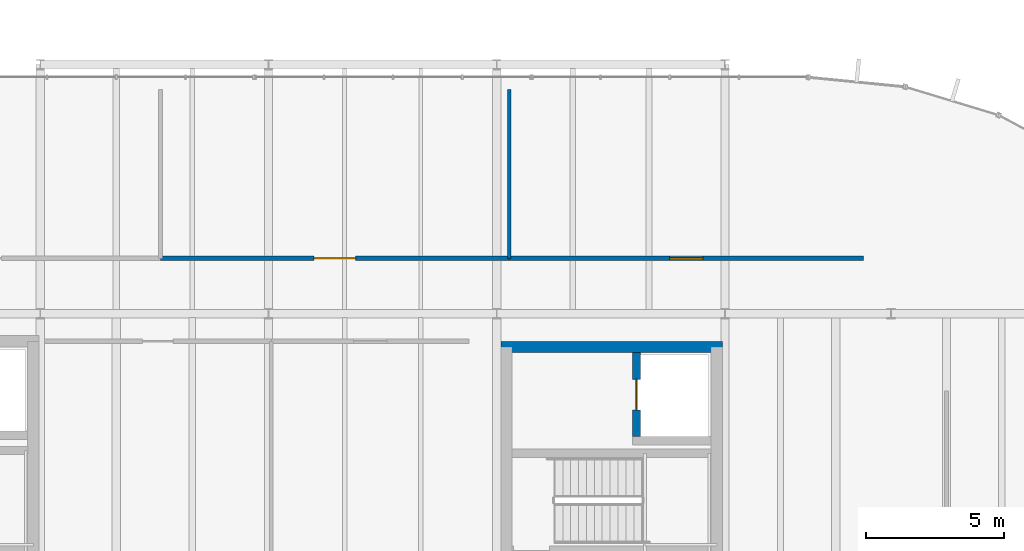
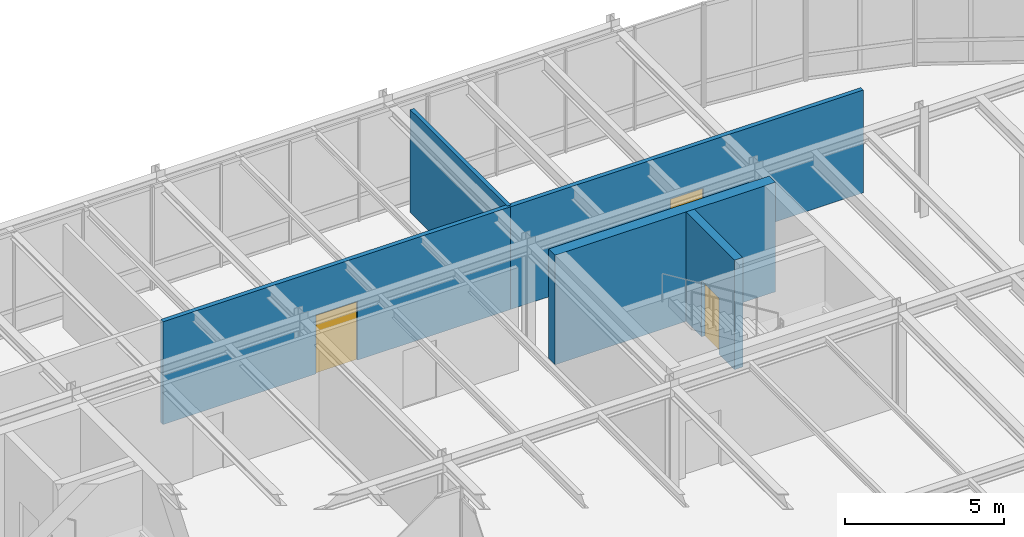
# One storey, part 22 of 31: 5 walls, 3 doors, 3 openings.
"""IFC4 building model written with IfcOpenShell, lengths in metres."""

import ifcopenshell
import ifcopenshell.guid

model = None  # the IFC model being written
_history = None  # IfcOwnerHistory: only IFC2X3 demands one
_inside = {}  # id of a spatial element -> (the spatial element, [elements in it])
_under = {}  # id of a project, library or spatial element -> (it, [spatial elements below it])
_declared = {}  # id of a project -> (the project, [libraries it declares])
_typed = {}  # id of a type object -> (the type object, [elements of that type])
_made_of = {}  # id of a material, layer set ... -> (it, [elements and type objects made of it])


def new_model(schema):
    """Start an empty IFC model of exactly this schema.

    Asked for "IFC4X3", IfcOpenShell would pick the latest addendum, in which some entities
    have other attributes; the version numbers below select the first issue.
    IFC2X3 requires an IfcOwnerHistory on every rooted entity: one is made here for all.
    """
    global model, _history
    if schema == "IFC4X3":
        model = ifcopenshell.file(schema_version=(4, 3, 0, 0))
    else:
        model = ifcopenshell.file(schema=schema)
    _inside.clear()
    _under.clear()
    _declared.clear()
    _typed.clear()
    _made_of.clear()
    _history = None
    if model.schema == "IFC2X3":
        org = make("IfcOrganization", Name="unknown")
        user = make(
            "IfcPersonAndOrganization",
            ThePerson=make("IfcPerson", FamilyName="unknown"),
            TheOrganization=org,
        )
        app = make(
            "IfcApplication",
            ApplicationDeveloper=org,
            Version="unknown",
            ApplicationFullName="unknown",
            ApplicationIdentifier="unknown",
        )
        _history = make(
            "IfcOwnerHistory",
            OwningUser=user,
            OwningApplication=app,
            ChangeAction="ADDED",
            CreationDate=0,
        )
    return model


def make(cls, **values):
    """One entity of the class cls with the attributes given. An attribute that is None is left unset."""
    return model.create_entity(
        cls, **{name: value for name, value in values.items() if value is not None}
    )


def rooted(cls, **values):
    """An entity with a GlobalId (a new one), such as an element, a storey or a relation."""
    return make(cls, GlobalId=ifcopenshell.guid.new(), OwnerHistory=_history, **values)


def si_unit(unit_type, name, prefix=None):
    """IfcSIUnit, for example si_unit("LENGTHUNIT", "METRE", prefix="MILLI")."""
    return make("IfcSIUnit", UnitType=unit_type, Prefix=prefix, Name=name)


def assignment(units):
    """IfcUnitAssignment: the units of a project."""
    return None if units is None else make("IfcUnitAssignment", Units=units)


def point(xyz):
    """IfcCartesianPoint."""
    return None if xyz is None else make("IfcCartesianPoint", Coordinates=xyz)


def direction(xyz):
    """IfcDirection."""
    return None if xyz is None else make("IfcDirection", DirectionRatios=xyz)


def frame(location, z_axis=None, x_axis=None):
    """IfcAxis2Placement3D, a coordinate frame: its origin and axes. An axis left out is left unset."""
    return make(
        "IfcAxis2Placement3D",
        Location=point(location),
        Axis=direction(z_axis),
        RefDirection=direction(x_axis),
    )


def frame_2d(location, x_axis=None):
    """IfcAxis2Placement2D, a coordinate frame in the plane: its origin and x axis."""
    return make(
        "IfcAxis2Placement2D", Location=point(location), RefDirection=direction(x_axis)
    )


def origin():
    """The frame at (0, 0, 0) with its axes left unset."""
    return frame((0.0, 0.0, 0.0))


def place(relative_to, where):
    """IfcLocalPlacement: puts the frame where relative to a parent placement (None: the world)."""
    return make(
        "IfcLocalPlacement", PlacementRelTo=relative_to, RelativePlacement=where
    )


def context(
    kind, dimensions, precision=None, world=None, true_north=None, identifier=None
):
    """IfcGeometricRepresentationContext, for example the 3D "Model" context."""
    return make(
        "IfcGeometricRepresentationContext",
        ContextIdentifier=identifier,
        ContextType=kind,
        CoordinateSpaceDimension=dimensions,
        Precision=precision,
        WorldCoordinateSystem=world,
        TrueNorth=true_north,
    )


def subcontext(parent, identifier, kind, view, scale=None):
    """IfcGeometricRepresentationSubContext, for example "Body" below "Model"."""
    return make(
        "IfcGeometricRepresentationSubContext",
        ContextIdentifier=identifier,
        ContextType=kind,
        ParentContext=parent,
        TargetScale=scale,
        TargetView=view,
    )


def project(units=None, contexts=None):
    """IfcProject with its units and contexts."""
    return rooted(
        "IfcProject",
        Name="project",
        RepresentationContexts=contexts,
        UnitsInContext=assignment(units),
    )


def spatial(cls, under=None, at=None, **own):
    """A site, building, storey or space (cls), placed at a placement, below another one or the project."""
    s = rooted(cls, ObjectPlacement=at, **own)
    if under is not None:
        _under.setdefault(under.id(), (under, []))[1].append(s)
    return s


def profile(cls, at=None, kind="AREA", **sizes):
    """A parametric profile (cls). Its sizes go by their IFC names, for example OverallWidth=200.0."""
    return make(cls, ProfileType=kind, Position=at, **sizes)


def rectangle(**sizes):
    """IfcRectangleProfileDef."""
    return profile("IfcRectangleProfileDef", **sizes)


def extrude(swept, where, along, depth):
    """IfcExtrudedAreaSolid: the profile swept, set in the frame where, extruded along a direction by depth."""
    return make(
        "IfcExtrudedAreaSolid",
        SweptArea=swept,
        Position=where,
        ExtrudedDirection=direction(along),
        Depth=depth,
    )


def shape(context_of_items, identifier, shape_type, items):
    """IfcShapeRepresentation: the items that make up one representation, for example the "Body"."""
    return make(
        "IfcShapeRepresentation",
        ContextOfItems=context_of_items,
        RepresentationIdentifier=identifier,
        RepresentationType=shape_type,
        Items=items,
    )


def material(Name=None, Category=None):
    """IfcMaterial."""
    return make("IfcMaterial", Name=Name, Category=Category)


def layer(
    of_material, thickness, ventilated=None, Name=None, Category=None, Priority=None
):
    """IfcMaterialLayer: one layer of a wall or slab, of a material (None: an air gap)."""
    return make(
        "IfcMaterialLayer",
        Material=of_material,
        LayerThickness=thickness,
        IsVentilated=ventilated,
        Name=Name,
        Category=Category,
        Priority=Priority,
    )


def layer_set(layers, Name=None):
    """IfcMaterialLayerSet."""
    return make("IfcMaterialLayerSet", MaterialLayers=layers, LayerSetName=Name)


def made_of(thing, what):
    """Note that an element or type object is made of a material, layer set ...; save() writes the relation."""
    if what is not None:
        _made_of.setdefault(what.id(), (what, []))[1].append(thing)
    return thing


def type_object(cls, material=None, **own):
    """A type object (cls), such as IfcWallType, which elements share."""
    return made_of(rooted(cls, **own), material)


def element(
    cls,
    number,
    at=None,
    inside=None,
    cuts=None,
    type_object=None,
    material=None,
    context=None,
    identifier="Body",
    shape_type=None,
    held_by="IfcProductDefinitionShape",
    body=None,
    shapes=None,
    **own,
):
    """One element of the class cls, such as IfcWall. Its Tag is "e" and its number.

    at: its placement. inside: the storey or other place that contains it. cuts: it is an
    opening in that element (IfcRelVoidsElement). A single representation is given by context,
    identifier, shape_type and body (its items); several are given by shapes. held_by: the class
    of the entity that holds the representations. save() writes the other relations.
    """
    e = rooted(cls, Tag="e%d" % number, ObjectPlacement=at, **own)
    if body is not None:
        shapes = [shape(context, identifier, shape_type, body)]
    if shapes is not None:
        e.Representation = make(held_by, Representations=shapes)
    if inside is not None:
        _inside.setdefault(inside.id(), (inside, []))[1].append(e)
    if cuts is not None:
        rooted(
            "IfcRelVoidsElement", RelatingBuildingElement=cuts, RelatedOpeningElement=e
        )
    if type_object is not None:
        _typed.setdefault(type_object.id(), (type_object, []))[1].append(e)
    return made_of(e, material)


def fill(opening, filler):
    """IfcRelFillsElement: the door or window that sits in an opening."""
    return rooted(
        "IfcRelFillsElement",
        RelatingOpeningElement=opening,
        RelatedBuildingElement=filler,
    )


def aggregate(whole, parts):
    """IfcRelAggregates: a whole, such as a stair, and the parts it consists of."""
    return rooted("IfcRelAggregates", RelatingObject=whole, RelatedObjects=parts)


def save(model, path):
    """Write the relations noted so far, then the file.

    IfcRelAggregates (storeys below a building ...), IfcRelContainedInSpatialStructure (elements
    in a storey), IfcRelDefinesByType, IfcRelAssociatesMaterial and IfcRelDeclares: one each for
    every whole, place, type object, material and project.
    """
    for whole, parts in _under.values():
        aggregate(whole, parts)
    for where, things in _inside.values():
        rooted(
            "IfcRelContainedInSpatialStructure",
            RelatedElements=things,
            RelatingStructure=where,
        )
    for kind, things in _typed.values():
        rooted("IfcRelDefinesByType", RelatedObjects=things, RelatingType=kind)
    for what, things in _made_of.values():
        rooted("IfcRelAssociatesMaterial", RelatedObjects=things, RelatingMaterial=what)
    for by, libraries in _declared.values():
        rooted("IfcRelDeclares", RelatingContext=by, RelatedDefinitions=libraries)
    model.write(path)


model = new_model("IFC4")

# Units and contexts
model_context = context("Model", 3, precision=1e-05, world=origin(), true_north=direction((0.0, 1.0)))
body_context = subcontext(model_context, "Body", "Model", "MODEL_VIEW")
ifc_project = project(units=[si_unit("LENGTHUNIT", "METRE"), si_unit("AREAUNIT", "SQUARE_METRE"), si_unit("VOLUMEUNIT", "CUBIC_METRE"), si_unit("PLANEANGLEUNIT", "RADIAN"), si_unit("MASSUNIT", "GRAM", prefix="KILO")], contexts=[model_context])

# Site, building, storey
site_placement = place(None, origin())
site = spatial("IfcSite", under=ifc_project, at=site_placement, CompositionType="ELEMENT")
building_placement = place(site_placement, origin())
building = spatial("IfcBuilding", under=site, at=building_placement, Name="Montealbar Specialist Clinic", CompositionType="ELEMENT")
storey_placement = place(building_placement, frame((0.0, 0.0, 13.800048828125)))
storey = spatial("IfcBuildingStorey", under=building, at=storey_placement, Name="L03", CompositionType="ELEMENT", Elevation=13.800048828125)

# Wall, opening, door
ifc_material_1 = material(Name="Concrete C35/45", Category="concrete")
ifc_layer_1 = layer(ifc_material_1, 0.300048828125, Name="Concrete C35/45", Category="concrete")
ifc_layer_set_1 = layer_set([ifc_layer_1], Name="Concrete C35/45")
wall_type_1 = type_object("IfcWallType", Name="WL-CORE-300", PredefinedType="SHEAR", material=ifc_layer_set_1)
wall_1_placement = place(storey_placement, frame((95.800048828125, 31.550048828125, 0.0), z_axis=(0.0, 0.0, 1.0), x_axis=(0.0, 1.0, 0.0)))
wall_1 = element("IfcWall", 1, at=wall_1_placement, inside=storey, type_object=wall_type_1, Name="Lift LF-03 Shaft Wall L03 LW", PredefinedType="SHEAR", context=body_context, shape_type="SweptSolid", body=[
    extrude(rectangle(XDim=3.050048828125, YDim=0.300048828125, at=frame_2d((1.52490234375, 0.0))), origin(), (0.0, 0.0, 1.0), 4.199951171875),
])
opening_1_placement = place(wall_1_placement, frame((0.97509765625, 0.0, 0.0)))
opening_1 = element("IfcOpeningElement", 2, at=opening_1_placement, cuts=wall_1, Name="Opening LD-11", PredefinedType="OPENING", context=body_context, shape_type="SweptSolid", body=[
    extrude(rectangle(XDim=1.10009765625, YDim=2.14990234375, at=frame_2d((0.550048828125, 1.074951171875))), frame((0.0, 0.159912109375, 0.0), z_axis=(0.0, -1.0, 0.0), x_axis=(1.0, 0.0, 0.0)), (0.0, 0.0, 1.0), 0.320068359375),
])
ifc_material_2 = material(Name="Steel S355", Category="steel")
door_type_1 = type_object("IfcDoorType", Name="DR-LIFT-LD1100", OperationType="DOUBLE_DOOR_SLIDING", PredefinedType="DOOR", material=ifc_material_2)
door_1_placement = place(opening_1_placement, origin())
door_1 = element("IfcDoor", 3, at=door_1_placement, inside=storey, type_object=door_type_1, Name="Lift LF-03 Sliding Landing Door L03", OperationType="DOUBLE_DOOR_SLIDING", OverallHeight=2.14990234375, OverallWidth=1.10009765625, PredefinedType="DOOR", context=body_context, shape_type="SweptSolid", body=[
    extrude(rectangle(XDim=1.10009765625, YDim=2.14990234375, at=frame_2d((0.550048828125, 1.074951171875))), frame((0.0, 0.02490234375, 0.0), z_axis=(0.0, -1.0, 0.0), x_axis=(1.0, 0.0, 0.0)), (0.0, 0.0, 1.0), 0.050048828125),
])
fill(opening_1, door_1)

# Walls
ifc_layer_2 = layer(ifc_material_1, 0.39990234375, Name="Concrete C35/45", Category="concrete")
ifc_layer_set_2 = layer_set([ifc_layer_2], Name="Concrete C35/45")
wall_type_2 = type_object("IfcWallType", Name="WL-CORE-400", PredefinedType="SHEAR", material=ifc_layer_set_2)
wall_2_placement = place(storey_placement, frame((90.89990234375, 34.800048828125, 0.0), z_axis=(0.0, 0.0, 1.0), x_axis=(1.0, 0.0, 0.0)))
element("IfcWall", 4, at=wall_2_placement, inside=storey, type_object=wall_type_2, Name="Core C5 Shear Wall L03 N", PredefinedType="SHEAR", context=body_context, shape_type="SweptSolid", body=[
    extrude(rectangle(XDim=8.0, YDim=0.39990234375, at=frame_2d((4.0, 0.0))), origin(), (0.0, 0.0, 1.0), 4.199951171875),
])
ifc_material_3 = material(Name="Gypsum acoustic partition", Category="gypsum")
ifc_layer_3 = layer(ifc_material_3, 0.139892578125, Name="Gypsum acoustic partition", Category="gypsum")
ifc_layer_set_3 = layer_set([ifc_layer_3], Name="Gypsum acoustic partition")
wall_type_3 = type_object("IfcWallType", Name="WL-PART-ACOUSTIC-140", PredefinedType="PARTITIONING", material=ifc_layer_set_3)
wall_3_placement = place(storey_placement, frame((91.199951171875, 38.0, 0.0), z_axis=(0.0, 0.0, 1.0), x_axis=(0.0, 1.0, 0.0)))
element("IfcWall", 5, at=wall_3_placement, inside=storey, type_object=wall_type_3, Name="Clinical Partition PART-L03-0183", PredefinedType="PARTITIONING", context=body_context, shape_type="SweptSolid", body=[
    extrude(rectangle(XDim=6.10009765625, YDim=0.139892578125, at=frame_2d((3.050048828125, 0.0))), origin(), (0.0, 0.0, 1.0), 3.93994140625),
])

# Wall, opening, door
ifc_layer_4 = layer(ifc_material_3, 0.159912109375, Name="Gypsum acoustic partition", Category="gypsum")
ifc_layer_set_4 = layer_set([ifc_layer_4], Name="Gypsum acoustic partition")
wall_type_4 = type_object("IfcWallType", Name="WL-PART-CLINIC-160", PredefinedType="PARTITIONING", material=ifc_layer_set_4)
wall_4_placement = place(storey_placement, frame((78.60009765625, 38.0, 0.0), z_axis=(0.0, 0.0, 1.0), x_axis=(1.0, 0.0, 0.0)))
wall_4 = element("IfcWall", 6, at=wall_4_placement, inside=storey, type_object=wall_type_4, Name="Clinical Partition PART-L03-0182", PredefinedType="PARTITIONING", context=body_context, shape_type="SweptSolid", body=[
    extrude(rectangle(XDim=12.599853515625, YDim=0.159912109375, at=frame_2d((6.2998046875, 0.0))), origin(), (0.0, 0.0, 1.0), 3.93994140625),
])
opening_2_placement = place(wall_4_placement, frame((5.550048828125, 0.0, 0.0)))
opening_2 = element("IfcOpeningElement", 7, at=opening_2_placement, cuts=wall_4, Name="Opening ID-150", PredefinedType="OPENING", context=body_context, shape_type="SweptSolid", body=[
    extrude(rectangle(XDim=1.5, YDim=2.25, at=frame_2d((0.75, 1.125))), frame((0.0, 0.08984375, 0.0), z_axis=(0.0, -1.0, 0.0), x_axis=(1.0, 0.0, 0.0)), (0.0, 0.0, 1.0), 0.179931640625),
])
ifc_material_4 = material(Name="Acoustic timber leaf", Category="wood")
door_type_2 = type_object("IfcDoorType", Name="DR-OR-W1500", OperationType="SLIDING_TO_LEFT", PredefinedType="DOOR", material=ifc_material_4)
door_2_placement = place(opening_2_placement, frame((1.5, 0.0, 0.0), z_axis=(0.0, 0.0, 1.0), x_axis=(-1.0, 0.0, 0.0)))
door_2 = element("IfcDoor", 8, at=door_2_placement, inside=storey, type_object=door_type_2, Name="Clinical Room Door IDR-L03-0117", OperationType="SLIDING_TO_LEFT", OverallHeight=2.25, OverallWidth=1.5, PredefinedType="DOOR", context=body_context, shape_type="SweptSolid", body=[
    extrude(rectangle(XDim=1.5, YDim=2.25, at=frame_2d((0.75, 1.125))), frame((0.0, 0.02490234375, 0.0), z_axis=(0.0, -1.0, 0.0), x_axis=(1.0, 0.0, 0.0)), (0.0, 0.0, 1.0), 0.050048828125),
])
fill(opening_2, door_2)

wall_5_placement = place(storey_placement, frame((91.199951171875, 38.0, 0.0), z_axis=(0.0, 0.0, 1.0), x_axis=(1.0, 0.0, 0.0)))
wall_5 = element("IfcWall", 9, at=wall_5_placement, inside=storey, type_object=wall_type_4, Name="Clinical Partition PART-L03-0184", PredefinedType="PARTITIONING", context=body_context, shape_type="SweptSolid", body=[
    extrude(rectangle(XDim=12.800048828125, YDim=0.159912109375, at=frame_2d((6.39990234375, 0.0))), origin(), (0.0, 0.0, 1.0), 3.93994140625),
])
opening_3_placement = place(wall_5_placement, frame((5.800048828125, 0.0, 0.0)))
opening_3 = element("IfcOpeningElement", 10, at=opening_3_placement, cuts=wall_5, Name="Opening ID-120", PredefinedType="OPENING", context=body_context, shape_type="SweptSolid", body=[
    extrude(rectangle(XDim=1.199951171875, YDim=2.199951171875, at=frame_2d((0.60009765625, 1.10009765625))), frame((0.0, 0.08984375, 0.0), z_axis=(0.0, -1.0, 0.0), x_axis=(1.0, 0.0, 0.0)), (0.0, 0.0, 1.0), 0.179931640625),
])
door_type_3 = type_object("IfcDoorType", Name="DR-CLIN-W1200", OperationType="NOTDEFINED", PredefinedType="DOOR", material=ifc_material_4)
door_3_placement = place(opening_3_placement, frame((1.199951171875, 0.0, 0.0), z_axis=(0.0, 0.0, 1.0), x_axis=(-1.0, 0.0, 0.0)))
door_3 = element("IfcDoor", 11, at=door_3_placement, inside=storey, type_object=door_type_3, Name="Clinical Room Door IDR-L03-0118", OperationType="SINGLE_SWING_LEFT", OverallHeight=2.199951171875, OverallWidth=1.199951171875, PredefinedType="DOOR", context=body_context, shape_type="SweptSolid", body=[
    extrude(rectangle(XDim=1.199951171875, YDim=2.199951171875, at=frame_2d((0.60009765625, 1.10009765625))), frame((0.0, 0.02490234375, 0.0), z_axis=(0.0, -1.0, 0.0), x_axis=(1.0, 0.0, 0.0)), (0.0, 0.0, 1.0), 0.050048828125),
])
fill(opening_3, door_3)

save(model, "model.ifc")
